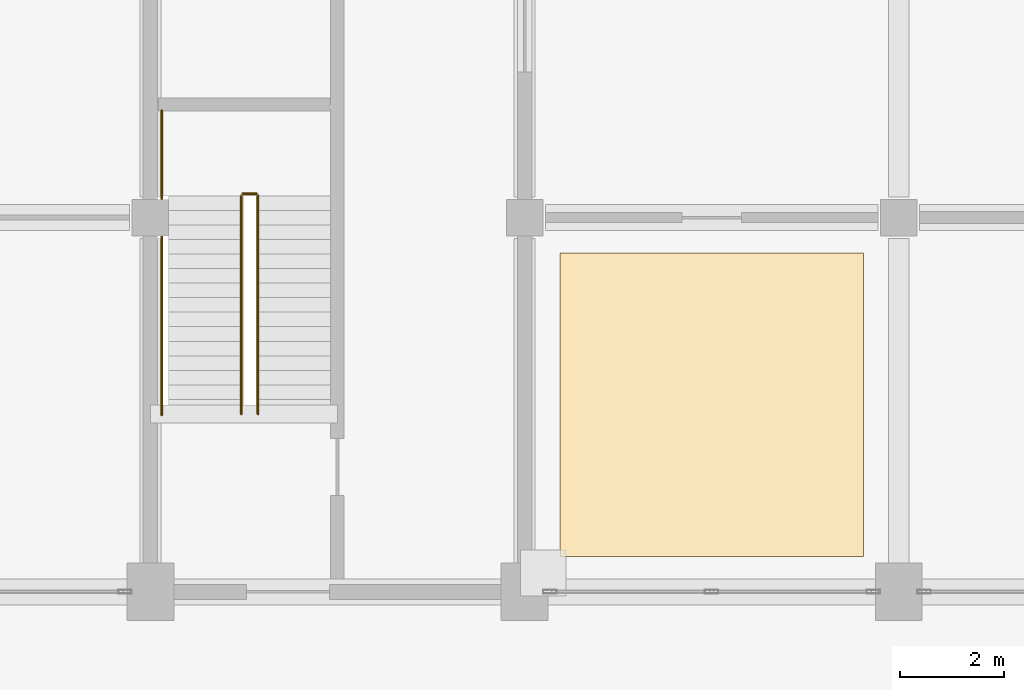
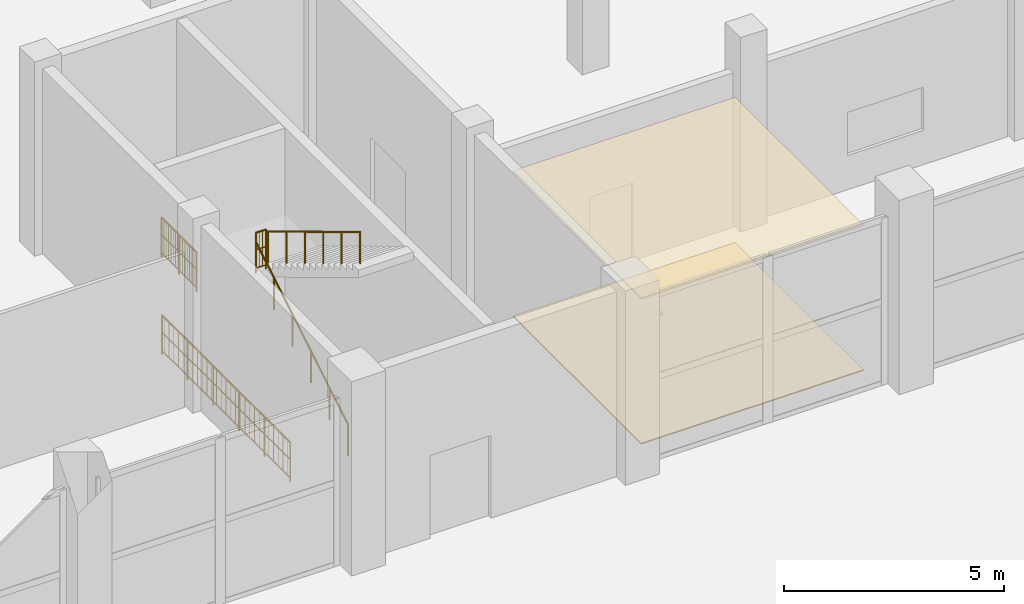
# One storey, part 58 of 70: 5 railings, 2 coverings.
"""IFC4 building model written with IfcOpenShell, lengths in metres."""

from ifc_helpers import new_model, si_unit, direction, frame, origin, origin_2d, place, context, subcontext, project, spatial, polyline, circle, outline, extrude, material, layer, layer_set, type_object, element, save


model = new_model("IFC4")

# Units and contexts
model_context = context("Model", 3, precision=1e-05, world=origin(), true_north=direction((0.0, 1.0)))
body_context = subcontext(model_context, "Body", "Model", "MODEL_VIEW")
ifc_project = project(units=[si_unit("LENGTHUNIT", "METRE"), si_unit("AREAUNIT", "SQUARE_METRE"), si_unit("VOLUMEUNIT", "CUBIC_METRE"), si_unit("PLANEANGLEUNIT", "RADIAN"), si_unit("MASSUNIT", "GRAM", prefix="KILO")], contexts=[model_context])

# Site, building, storey
site_placement = place(None, origin())
site = spatial("IfcSite", under=ifc_project, at=site_placement, CompositionType="ELEMENT")
building_placement = place(site_placement, origin())
building = spatial("IfcBuilding", under=site, at=building_placement, Name="Vesperath Aquatics Centre", CompositionType="ELEMENT")
storey_placement = place(building_placement, origin())
storey = spatial("IfcBuildingStorey", under=building, at=storey_placement, Name="L00", CompositionType="ELEMENT", Elevation=0.0)

# Coverings
ifc_material_1 = material(Name="Perforated moisture-resistant acoustic mineral-fibre ceiling", Category="gypsum")
ifc_layer_1 = layer(ifc_material_1, 0.044921875)
ifc_layer_set_1 = layer_set([ifc_layer_1], Name="Perforated moisture-resistant acoustic mineral-fibre ceiling")
covering_type_1 = type_object("IfcCoveringType", Name="CV-CLG01", PredefinedType="CEILING", material=ifc_layer_set_1)
covering_1_placement = place(storey_placement, frame((0.0, 0.0, 4.02490234375)))
element("IfcCovering", 1, at=covering_1_placement, inside=storey, type_object=covering_type_1, Name="Acoustic Suspended Ceiling CLG1 L00_OFFICIALS", PredefinedType="CEILING", context=body_context, shape_type="SweptSolid", body=[
    extrude(outline(polyline([(58.280029296875, 15.080078125), (64.1201171875, 15.080078125), (64.1201171875, 20.919921875), (58.280029296875, 20.919921875), (58.280029296875, 15.080078125)])), origin(), (0.0, 0.0, 1.0), 0.045166015625),
])
ifc_material_2 = material(Name="Slip-resistant vitrified ceramic and terrazzo flooring", Category="ceramic")
ifc_layer_2 = layer(ifc_material_2, 0.030029296875)
ifc_layer_set_2 = layer_set([ifc_layer_2], Name="Slip-resistant vitrified ceramic and terrazzo flooring")
covering_type_2 = type_object("IfcCoveringType", Name="CV-FLR01", PredefinedType="FLOORING", material=ifc_layer_set_2)
covering_2_placement = place(storey_placement, origin())
element("IfcCovering", 2, at=covering_2_placement, inside=storey, type_object=covering_type_2, Name="Slip-Resistant Floor Finish FLR1 L00_OFFICIALS", PredefinedType="FLOORING", context=body_context, shape_type="SweptSolid", body=[
    extrude(outline(polyline([(58.280029296875, 15.080078125), (64.1201171875, 15.080078125), (64.1201171875, 20.919921875), (58.280029296875, 20.919921875), (58.280029296875, 15.080078125)])), origin(), (0.0, 0.0, 1.0), 0.030029296875),
])

# Railings
ifc_material_3 = material(Name="Powder-coated galvanized steel safety guard", Category="steel")
railing_type_1 = type_object("IfcRailingType", Name="RL-GRD01", PredefinedType="GUARDRAIL", material=ifc_material_3)
railing_1_placement = place(storey_placement, frame((52.179931640625, 22.06005859375, 2.699951171875)))
element("IfcRailing", 3, at=railing_1_placement, inside=storey, type_object=railing_type_1, Name="Stair ST9 Half-Landing Slot Guard GR02 L00", PredefinedType="GUARDRAIL", context=body_context, shape_type="SweptSolid", body=[
    extrude(circle(Radius=0.02392578125, at=origin_2d()), frame((0.0, 0.0, 1.0859375), z_axis=(1.0, 0.0, 0.0), x_axis=(0.0, 1.0, 0.0)), (0.0, 0.0, 1.0), 0.260009765625),
    extrude(circle(Radius=0.01611328125, at=origin_2d()), frame((0.0, 0.0, 0.10009765625), z_axis=(1.0, 0.0, 0.0), x_axis=(0.0, 1.0, 0.0)), (0.0, 0.0, 1.0), 0.260009765625),
    extrude(circle(Radius=0.01611328125, at=origin_2d()), frame((0.0, 0.0, 0.610595703125), z_axis=(1.0, 0.0, 0.0), x_axis=(0.0, 1.0, 0.0)), (0.0, 0.0, 1.0), 0.260009765625),
    extrude(circle(Radius=0.009033203125, at=origin_2d()), frame((0.086669921875, 0.0, 0.10009765625)), (0.0, 0.0, 1.0), 0.9619140625),
    extrude(circle(Radius=0.009033203125, at=origin_2d()), frame((0.17333984375, 0.0, 0.10009765625)), (0.0, 0.0, 1.0), 0.9619140625),
    extrude(circle(Radius=0.02197265625, at=origin_2d()), origin(), (0.0, 0.0, 1.0), 1.0859375),
    extrude(circle(Radius=0.02197265625, at=origin_2d()), frame((0.260009765625, 0.0, 0.0)), (0.0, 0.0, 1.0), 1.0859375),
])
railing_2_placement = place(storey_placement, frame((50.6201171875, 22.06005859375, 2.699951171875)))
element("IfcRailing", 4, at=railing_2_placement, inside=storey, type_object=railing_type_1, Name="Stair ST9 Half-Landing Wall Guard GR02 L00", PredefinedType="GUARDRAIL", context=body_context, shape_type="SweptSolid", body=[
    extrude(circle(Radius=0.02392578125, at=origin_2d()), frame((0.0, 0.0, 1.0859375), z_axis=(0.0, 1.0, 0.0), x_axis=(-1.0, 0.0, 0.0)), (0.0, 0.0, 1.0), 1.599853515625),
    extrude(circle(Radius=0.01611328125, at=origin_2d()), frame((0.0, 0.0, 0.10009765625), z_axis=(0.0, 1.0, 0.0), x_axis=(-1.0, 0.0, 0.0)), (0.0, 0.0, 1.0), 1.599853515625),
    extrude(circle(Radius=0.01611328125, at=origin_2d()), frame((0.0, 0.0, 0.610595703125), z_axis=(0.0, 1.0, 0.0), x_axis=(-1.0, 0.0, 0.0)), (0.0, 0.0, 1.0), 1.599853515625),
    extrude(circle(Radius=0.009033203125, at=origin_2d()), frame((0.0, 0.106689453125, 0.10009765625)), (0.0, 0.0, 1.0), 0.9619140625),
    extrude(circle(Radius=0.009033203125, at=origin_2d()), frame((0.0, 0.21337890625, 0.10009765625)), (0.0, 0.0, 1.0), 0.9619140625),
    extrude(circle(Radius=0.009033203125, at=origin_2d()), frame((0.0, 0.320068359375, 0.10009765625)), (0.0, 0.0, 1.0), 0.9619140625),
    extrude(circle(Radius=0.009033203125, at=origin_2d()), frame((0.0, 0.426513671875, 0.10009765625)), (0.0, 0.0, 1.0), 0.9619140625),
    extrude(circle(Radius=0.009033203125, at=origin_2d()), frame((0.0, 0.533203125, 0.10009765625)), (0.0, 0.0, 1.0), 0.9619140625),
    extrude(circle(Radius=0.009033203125, at=origin_2d()), frame((0.0, 0.639892578125, 0.10009765625)), (0.0, 0.0, 1.0), 0.9619140625),
    extrude(circle(Radius=0.009033203125, at=origin_2d()), frame((0.0, 0.74658203125, 0.10009765625)), (0.0, 0.0, 1.0), 0.9619140625),
    extrude(circle(Radius=0.009033203125, at=origin_2d()), frame((0.0, 0.853271484375, 0.10009765625)), (0.0, 0.0, 1.0), 0.9619140625),
    extrude(circle(Radius=0.009033203125, at=origin_2d()), frame((0.0, 0.9599609375, 0.10009765625)), (0.0, 0.0, 1.0), 0.9619140625),
    extrude(circle(Radius=0.009033203125, at=origin_2d()), frame((0.0, 1.066650390625, 0.10009765625)), (0.0, 0.0, 1.0), 0.9619140625),
    extrude(circle(Radius=0.009033203125, at=origin_2d()), frame((0.0, 1.17333984375, 0.10009765625)), (0.0, 0.0, 1.0), 0.9619140625),
    extrude(circle(Radius=0.009033203125, at=origin_2d()), frame((0.0, 1.27978515625, 0.10009765625)), (0.0, 0.0, 1.0), 0.9619140625),
    extrude(circle(Radius=0.009033203125, at=origin_2d()), frame((0.0, 1.386474609375, 0.10009765625)), (0.0, 0.0, 1.0), 0.9619140625),
    extrude(circle(Radius=0.009033203125, at=origin_2d()), frame((0.0, 1.4931640625, 0.10009765625)), (0.0, 0.0, 1.0), 0.9619140625),
    extrude(circle(Radius=0.02197265625, at=origin_2d()), origin(), (0.0, 0.0, 1.0), 1.0859375),
    extrude(circle(Radius=0.02197265625, at=origin_2d()), frame((0.0, 0.7998046875, 0.0)), (0.0, 0.0, 1.0), 1.0859375),
    extrude(circle(Radius=0.02197265625, at=origin_2d()), frame((0.0, 1.599853515625, 0.0)), (0.0, 0.0, 1.0), 1.0859375),
])
railing_3_placement = place(storey_placement, frame((50.6201171875, 17.800048828125, 0.0)))
element("IfcRailing", 5, at=railing_3_placement, inside=storey, type_object=railing_type_1, Name="Stair ST9 Shaft Side Guard GR02 L00", PredefinedType="GUARDRAIL", context=body_context, shape_type="SweptSolid", body=[
    extrude(circle(Radius=0.02392578125, at=origin_2d()), frame((0.0, 0.0, 1.0859375), z_axis=(0.0, 1.0, 0.0), x_axis=(-1.0, 0.0, 0.0)), (0.0, 0.0, 1.0), 5.83984375),
    extrude(circle(Radius=0.01611328125, at=origin_2d()), frame((0.0, 0.0, 0.10009765625), z_axis=(0.0, 1.0, 0.0), x_axis=(-1.0, 0.0, 0.0)), (0.0, 0.0, 1.0), 5.83984375),
    extrude(circle(Radius=0.01611328125, at=origin_2d()), frame((0.0, 0.0, 0.610595703125), z_axis=(0.0, 1.0, 0.0), x_axis=(-1.0, 0.0, 0.0)), (0.0, 0.0, 1.0), 5.83984375),
    extrude(circle(Radius=0.009033203125, at=origin_2d()), frame((0.0, 0.108154296875, 0.10009765625)), (0.0, 0.0, 1.0), 0.9619140625),
    extrude(circle(Radius=0.009033203125, at=origin_2d()), frame((0.0, 0.324462890625, 0.10009765625)), (0.0, 0.0, 1.0), 0.9619140625),
    extrude(circle(Radius=0.009033203125, at=origin_2d()), frame((0.0, 0.540771484375, 0.10009765625)), (0.0, 0.0, 1.0), 0.9619140625),
    extrude(circle(Radius=0.009033203125, at=origin_2d()), frame((0.0, 0.757080078125, 0.10009765625)), (0.0, 0.0, 1.0), 0.9619140625),
    extrude(circle(Radius=0.009033203125, at=origin_2d()), frame((0.0, 0.973388671875, 0.10009765625)), (0.0, 0.0, 1.0), 0.9619140625),
    extrude(circle(Radius=0.009033203125, at=origin_2d()), frame((0.0, 1.189697265625, 0.10009765625)), (0.0, 0.0, 1.0), 0.9619140625),
    extrude(circle(Radius=0.009033203125, at=origin_2d()), frame((0.0, 1.406005859375, 0.10009765625)), (0.0, 0.0, 1.0), 0.9619140625),
    extrude(circle(Radius=0.009033203125, at=origin_2d()), frame((0.0, 1.6220703125, 0.10009765625)), (0.0, 0.0, 1.0), 0.9619140625),
    extrude(circle(Radius=0.009033203125, at=origin_2d()), frame((0.0, 1.83837890625, 0.10009765625)), (0.0, 0.0, 1.0), 0.9619140625),
    extrude(circle(Radius=0.009033203125, at=origin_2d()), frame((0.0, 2.0546875, 0.10009765625)), (0.0, 0.0, 1.0), 0.9619140625),
    extrude(circle(Radius=0.009033203125, at=origin_2d()), frame((0.0, 2.27099609375, 0.10009765625)), (0.0, 0.0, 1.0), 0.9619140625),
    extrude(circle(Radius=0.009033203125, at=origin_2d()), frame((0.0, 2.4873046875, 0.10009765625)), (0.0, 0.0, 1.0), 0.9619140625),
    extrude(circle(Radius=0.009033203125, at=origin_2d()), frame((0.0, 2.70361328125, 0.10009765625)), (0.0, 0.0, 1.0), 0.9619140625),
    extrude(circle(Radius=0.009033203125, at=origin_2d()), frame((0.0, 2.919921875, 0.10009765625)), (0.0, 0.0, 1.0), 0.9619140625),
    extrude(circle(Radius=0.009033203125, at=origin_2d()), frame((0.0, 3.13623046875, 0.10009765625)), (0.0, 0.0, 1.0), 0.9619140625),
    extrude(circle(Radius=0.009033203125, at=origin_2d()), frame((0.0, 3.3525390625, 0.10009765625)), (0.0, 0.0, 1.0), 0.9619140625),
    extrude(circle(Radius=0.009033203125, at=origin_2d()), frame((0.0, 3.56884765625, 0.10009765625)), (0.0, 0.0, 1.0), 0.9619140625),
    extrude(circle(Radius=0.009033203125, at=origin_2d()), frame((0.0, 3.78515625, 0.10009765625)), (0.0, 0.0, 1.0), 0.9619140625),
    extrude(circle(Radius=0.009033203125, at=origin_2d()), frame((0.0, 4.00146484375, 0.10009765625)), (0.0, 0.0, 1.0), 0.9619140625),
    extrude(circle(Radius=0.009033203125, at=origin_2d()), frame((0.0, 4.2177734375, 0.10009765625)), (0.0, 0.0, 1.0), 0.9619140625),
    extrude(circle(Radius=0.009033203125, at=origin_2d()), frame((0.0, 4.433837890625, 0.10009765625)), (0.0, 0.0, 1.0), 0.9619140625),
    extrude(circle(Radius=0.009033203125, at=origin_2d()), frame((0.0, 4.650146484375, 0.10009765625)), (0.0, 0.0, 1.0), 0.9619140625),
    extrude(circle(Radius=0.009033203125, at=origin_2d()), frame((0.0, 4.866455078125, 0.10009765625)), (0.0, 0.0, 1.0), 0.9619140625),
    extrude(circle(Radius=0.009033203125, at=origin_2d()), frame((0.0, 5.082763671875, 0.10009765625)), (0.0, 0.0, 1.0), 0.9619140625),
    extrude(circle(Radius=0.009033203125, at=origin_2d()), frame((0.0, 5.299072265625, 0.10009765625)), (0.0, 0.0, 1.0), 0.9619140625),
    extrude(circle(Radius=0.009033203125, at=origin_2d()), frame((0.0, 5.515380859375, 0.10009765625)), (0.0, 0.0, 1.0), 0.9619140625),
    extrude(circle(Radius=0.009033203125, at=origin_2d()), frame((0.0, 5.731689453125, 0.10009765625)), (0.0, 0.0, 1.0), 0.9619140625),
    extrude(circle(Radius=0.02197265625, at=origin_2d()), origin(), (0.0, 0.0, 1.0), 1.0859375),
    extrude(circle(Radius=0.02197265625, at=origin_2d()), frame((0.0, 1.16796875, 0.0)), (0.0, 0.0, 1.0), 1.0859375),
    extrude(circle(Radius=0.02197265625, at=origin_2d()), frame((0.0, 2.3359375, 0.0)), (0.0, 0.0, 1.0), 1.0859375),
    extrude(circle(Radius=0.02197265625, at=origin_2d()), frame((0.0, 3.50390625, 0.0)), (0.0, 0.0, 1.0), 1.0859375),
    extrude(circle(Radius=0.02197265625, at=origin_2d()), frame((0.0, 4.671875, 0.0)), (0.0, 0.0, 1.0), 1.0859375),
    extrude(circle(Radius=0.02197265625, at=origin_2d()), frame((0.0, 5.83984375, 0.0)), (0.0, 0.0, 1.0), 1.0859375),
])
ifc_material_4 = material(Name="Brushed stainless steel tubular handrail", Category="steel")
railing_type_2 = type_object("IfcRailingType", Name="RL-HND01", PredefinedType="HANDRAIL", material=ifc_material_4)
railing_4_placement = place(storey_placement, frame((52.14990234375, 17.820068359375, 0.168701171875)))
element("IfcRailing", 6, at=railing_4_placement, inside=storey, type_object=railing_type_2, Name="Stair ST9 Flight 1 Handrail HR01 L00", PredefinedType="HANDRAIL", context=body_context, shape_type="SweptSolid", body=[
    extrude(circle(Radius=0.02392578125, at=origin_2d()), frame((0.0, 0.0, 0.8759765625), z_axis=(0.0, 0.856476492594, 0.516186030065), x_axis=(-1.0, 0.0, 0.0)), (0.0, 0.0, 1.0), 4.90380859375),
    extrude(circle(Radius=0.02197265625, at=origin_2d()), origin(), (0.0, 0.0, 1.0), 0.8759765625),
    extrude(circle(Radius=0.02197265625, at=origin_2d()), frame((0.0, 0.840087890625, 0.50634765625)), (0.0, 0.0, 1.0), 0.8759765625),
    extrude(circle(Radius=0.02197265625, at=origin_2d()), frame((0.0, 1.679931640625, 1.012451171875)), (0.0, 0.0, 1.0), 0.8759765625),
    extrude(circle(Radius=0.02197265625, at=origin_2d()), frame((0.0, 2.52001953125, 1.518798828125)), (0.0, 0.0, 1.0), 0.8759765625),
    extrude(circle(Radius=0.02197265625, at=origin_2d()), frame((0.0, 3.35986328125, 2.02490234375)), (0.0, 0.0, 1.0), 0.8759765625),
    extrude(circle(Radius=0.02197265625, at=origin_2d()), frame((0.0, 4.199951171875, 2.53125)), (0.0, 0.0, 1.0), 0.8759765625),
])
railing_5_placement = place(storey_placement, frame((52.469970703125, 22.02001953125, 2.86865234375)))
element("IfcRailing", 7, at=railing_5_placement, inside=storey, type_object=railing_type_2, Name="Stair ST9 Flight 2 Handrail HR01 L00", PredefinedType="HANDRAIL", context=body_context, shape_type="SweptSolid", body=[
    extrude(circle(Radius=0.02392578125, at=origin_2d()), frame((0.0, 0.0, 0.8759765625), z_axis=(0.0, -0.856476492594, 0.516186030065), x_axis=(1.0, 0.0, 0.0)), (0.0, 0.0, 1.0), 4.90380859375),
    extrude(circle(Radius=0.02197265625, at=origin_2d()), origin(), (0.0, 0.0, 1.0), 0.8759765625),
    extrude(circle(Radius=0.02197265625, at=origin_2d()), frame((0.0, -0.840087890625, 0.50634765625)), (0.0, 0.0, 1.0), 0.8759765625),
    extrude(circle(Radius=0.02197265625, at=origin_2d()), frame((0.0, -1.679931640625, 1.012451171875)), (0.0, 0.0, 1.0), 0.8759765625),
    extrude(circle(Radius=0.02197265625, at=origin_2d()), frame((0.0, -2.52001953125, 1.518798828125)), (0.0, 0.0, 1.0), 0.8759765625),
    extrude(circle(Radius=0.02197265625, at=origin_2d()), frame((0.0, -3.35986328125, 2.02490234375)), (0.0, 0.0, 1.0), 0.8759765625),
    extrude(circle(Radius=0.02197265625, at=origin_2d()), frame((0.0, -4.199951171875, 2.53125)), (0.0, 0.0, 1.0), 0.8759765625),
])

save(model, "model.ifc")
